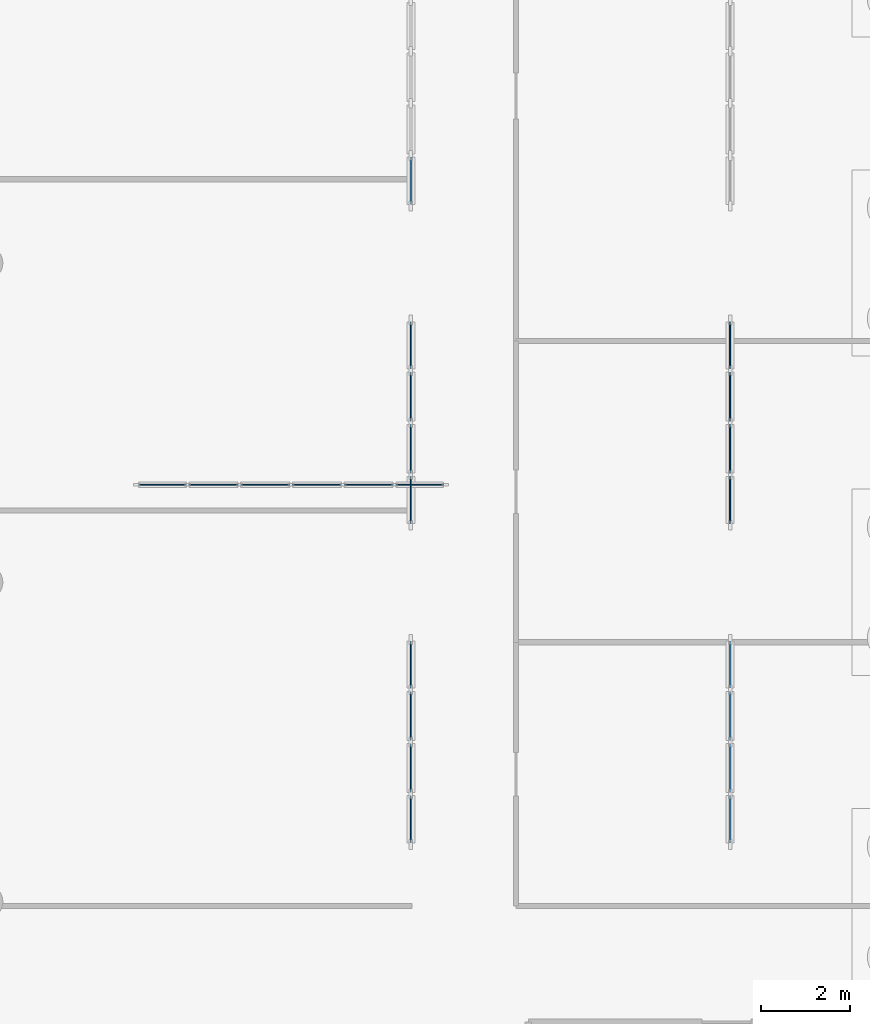
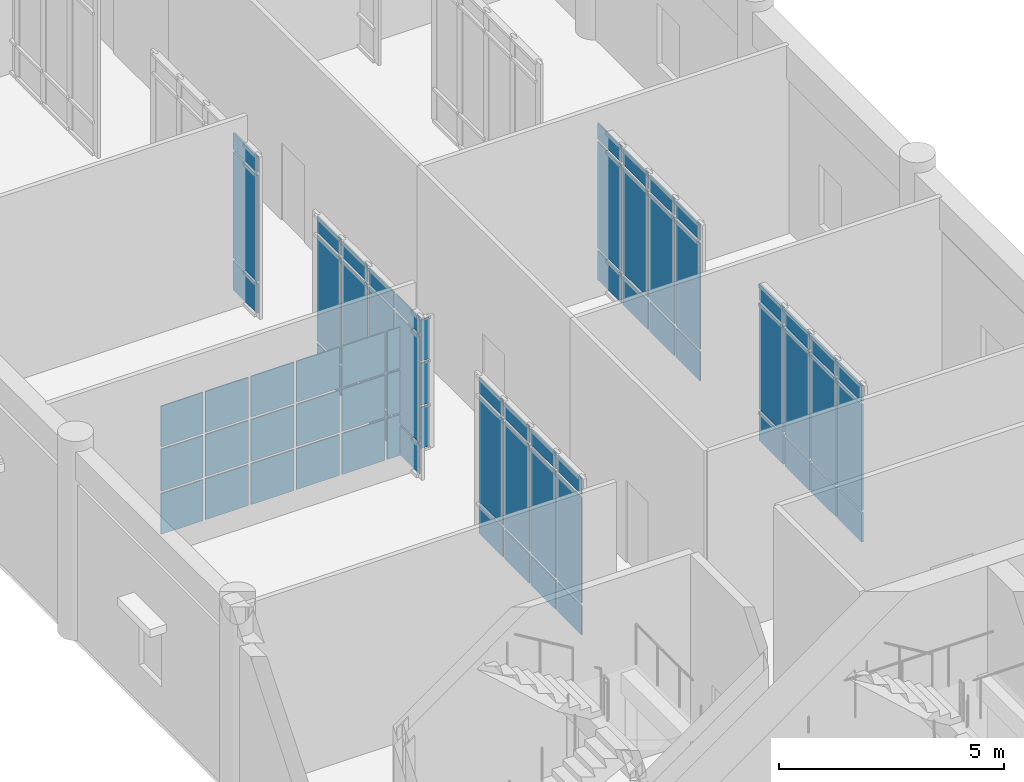
# One storey, part 54 of 100: 69 plates, 6 elements without a shape of their own.
"""IFC4 building model written with IfcOpenShell, lengths in metres."""

from ifc_helpers import new_model, si_unit, direction, frame, origin, origin_2d, place, context, subcontext, project, spatial, rectangle, extrude, material, layer, layer_set, type_object, element, aggregate, save


model = new_model("IFC4")

# Units and contexts
model_context = context("Model", 3, precision=1e-05, world=origin(), true_north=direction((0.0, 1.0)))
body_context = subcontext(model_context, "Body", "Model", "MODEL_VIEW")
ifc_project = project(units=[si_unit("LENGTHUNIT", "METRE"), si_unit("AREAUNIT", "SQUARE_METRE"), si_unit("VOLUMEUNIT", "CUBIC_METRE"), si_unit("PLANEANGLEUNIT", "RADIAN"), si_unit("MASSUNIT", "GRAM", prefix="KILO")], contexts=[model_context])

# Site, building, storey
site_placement = place(None, origin())
site = spatial("IfcSite", under=ifc_project, at=site_placement, CompositionType="ELEMENT")
building_placement = place(site_placement, origin())
building = spatial("IfcBuilding", under=site, at=building_placement, Name="Mithqara Police Headquarters", CompositionType="ELEMENT")
storey_placement = place(building_placement, origin())
storey = spatial("IfcBuildingStorey", under=building, at=storey_placement, Name="L00", CompositionType="ELEMENT", Elevation=0.0)

# Curtain wall, plates
ifc_material_1 = material(Name="Bronze anodised aluminium 6063-T6", Category="aluminium")
curtain_wall_type_1 = type_object("IfcCurtainWallType", Name="CURTAIN WALL 4700X4400", PredefinedType="USERDEFINED", material=ifc_material_1)
curtain_wall_1_placement = place(storey_placement, origin())
curtain_wall_1 = element("IfcCurtainWall", 1, at=curtain_wall_1_placement, inside=storey, type_object=curtain_wall_type_1, Name="L00 Unitised Glazing CW-14 (CW-INT-L00-X11-Y06-0)", ObjectType="UNITISED GLAZING", PredefinedType="USERDEFINED")
ifc_material_2 = material(Name="Spectrally selective double low-e glass", Category="glass")
ifc_layer_1 = layer(ifc_material_2, 0.028076171875, Name="Spectrally selective double low-e glass")
ifc_layer_set_1 = layer_set([ifc_layer_1], Name="Spectrally selective double low-e glass")
plate_type_1 = type_object("IfcPlateType", Name="CWPANEL GLASS28", PredefinedType="CURTAIN_PANEL", material=ifc_layer_set_1)
plate_1_placement = place(storey_placement, frame((82.199951171875, 44.456298828125, 0.074951171875), z_axis=(0.0, 0.0, 1.0), x_axis=(0.0, 1.0, 0.0)))
plate_1 = element("IfcPlate", 2, at=plate_1_placement, type_object=plate_type_1, Name="CW-14 panel 1.1", PredefinedType="CURTAIN_PANEL", context=body_context, shape_type="SweptSolid", body=[
    extrude(rectangle(XDim=1.0625, YDim=0.028076171875, at=origin_2d()), origin(), (0.0, 0.0, 1.0), 0.78759765625),
])
plate_2_placement = place(storey_placement, frame((82.199951171875, 44.456298828125, 0.9375), z_axis=(0.0, 0.0, 1.0), x_axis=(0.0, 1.0, 0.0)))
plate_2 = element("IfcPlate", 3, at=plate_2_placement, type_object=plate_type_1, Name="CW-14 panel 1.2", PredefinedType="CURTAIN_PANEL", context=body_context, shape_type="SweptSolid", body=[
    extrude(rectangle(XDim=1.0625, YDim=0.028076171875, at=origin_2d()), origin(), (0.0, 0.0, 1.0), 2.875),
])
plate_3_placement = place(storey_placement, frame((82.199951171875, 44.456298828125, 3.887451171875), z_axis=(0.0, 0.0, 1.0), x_axis=(0.0, 1.0, 0.0)))
plate_3 = element("IfcPlate", 4, at=plate_3_placement, type_object=plate_type_1, Name="CW-14 panel 1.3", PredefinedType="CURTAIN_PANEL", context=body_context, shape_type="SweptSolid", body=[
    extrude(rectangle(XDim=1.0625, YDim=0.028076171875, at=origin_2d()), origin(), (0.0, 0.0, 1.0), 0.4375),
])
plate_4_placement = place(storey_placement, frame((82.199951171875, 45.612548828125, 0.074951171875), z_axis=(0.0, 0.0, 1.0), x_axis=(0.0, 1.0, 0.0)))
plate_4 = element("IfcPlate", 5, at=plate_4_placement, type_object=plate_type_1, Name="CW-14 panel 2.1", PredefinedType="CURTAIN_PANEL", context=body_context, shape_type="SweptSolid", body=[
    extrude(rectangle(XDim=1.10009765625, YDim=0.028076171875, at=origin_2d()), origin(), (0.0, 0.0, 1.0), 0.78759765625),
])
plate_5_placement = place(storey_placement, frame((82.199951171875, 45.612548828125, 0.9375), z_axis=(0.0, 0.0, 1.0), x_axis=(0.0, 1.0, 0.0)))
plate_5 = element("IfcPlate", 6, at=plate_5_placement, type_object=plate_type_1, Name="CW-14 panel 2.2", PredefinedType="CURTAIN_PANEL", context=body_context, shape_type="SweptSolid", body=[
    extrude(rectangle(XDim=1.10009765625, YDim=0.028076171875, at=origin_2d()), origin(), (0.0, 0.0, 1.0), 2.875),
])
plate_6_placement = place(storey_placement, frame((82.199951171875, 45.612548828125, 3.887451171875), z_axis=(0.0, 0.0, 1.0), x_axis=(0.0, 1.0, 0.0)))
plate_6 = element("IfcPlate", 7, at=plate_6_placement, type_object=plate_type_1, Name="CW-14 panel 2.3", PredefinedType="CURTAIN_PANEL", context=body_context, shape_type="SweptSolid", body=[
    extrude(rectangle(XDim=1.10009765625, YDim=0.028076171875, at=origin_2d()), origin(), (0.0, 0.0, 1.0), 0.4375),
])
plate_7_placement = place(storey_placement, frame((82.199951171875, 46.78759765625, 0.074951171875), z_axis=(0.0, 0.0, 1.0), x_axis=(0.0, 1.0, 0.0)))
plate_7 = element("IfcPlate", 8, at=plate_7_placement, type_object=plate_type_1, Name="CW-14 panel 3.1", PredefinedType="CURTAIN_PANEL", context=body_context, shape_type="SweptSolid", body=[
    extrude(rectangle(XDim=1.10009765625, YDim=0.028076171875, at=origin_2d()), origin(), (0.0, 0.0, 1.0), 0.78759765625),
])
plate_8_placement = place(storey_placement, frame((82.199951171875, 46.78759765625, 0.9375), z_axis=(0.0, 0.0, 1.0), x_axis=(0.0, 1.0, 0.0)))
plate_8 = element("IfcPlate", 9, at=plate_8_placement, type_object=plate_type_1, Name="CW-14 panel 3.2", PredefinedType="CURTAIN_PANEL", context=body_context, shape_type="SweptSolid", body=[
    extrude(rectangle(XDim=1.10009765625, YDim=0.028076171875, at=origin_2d()), origin(), (0.0, 0.0, 1.0), 2.875),
])
plate_9_placement = place(storey_placement, frame((82.199951171875, 46.78759765625, 3.887451171875), z_axis=(0.0, 0.0, 1.0), x_axis=(0.0, 1.0, 0.0)))
plate_9 = element("IfcPlate", 10, at=plate_9_placement, type_object=plate_type_1, Name="CW-14 panel 3.3", PredefinedType="CURTAIN_PANEL", context=body_context, shape_type="SweptSolid", body=[
    extrude(rectangle(XDim=1.10009765625, YDim=0.028076171875, at=origin_2d()), origin(), (0.0, 0.0, 1.0), 0.4375),
])
plate_10_placement = place(storey_placement, frame((82.199951171875, 47.94384765625, 0.074951171875), z_axis=(0.0, 0.0, 1.0), x_axis=(0.0, 1.0, 0.0)))
plate_10 = element("IfcPlate", 11, at=plate_10_placement, type_object=plate_type_1, Name="CW-14 panel 4.1", PredefinedType="CURTAIN_PANEL", context=body_context, shape_type="SweptSolid", body=[
    extrude(rectangle(XDim=1.0625, YDim=0.028076171875, at=origin_2d()), origin(), (0.0, 0.0, 1.0), 0.78759765625),
])
plate_11_placement = place(storey_placement, frame((82.199951171875, 47.94384765625, 0.9375), z_axis=(0.0, 0.0, 1.0), x_axis=(0.0, 1.0, 0.0)))
plate_11 = element("IfcPlate", 12, at=plate_11_placement, type_object=plate_type_1, Name="CW-14 panel 4.2", PredefinedType="CURTAIN_PANEL", context=body_context, shape_type="SweptSolid", body=[
    extrude(rectangle(XDim=1.0625, YDim=0.028076171875, at=origin_2d()), origin(), (0.0, 0.0, 1.0), 2.875),
])
plate_12_placement = place(storey_placement, frame((82.199951171875, 47.94384765625, 3.887451171875), z_axis=(0.0, 0.0, 1.0), x_axis=(0.0, 1.0, 0.0)))
plate_12 = element("IfcPlate", 13, at=plate_12_placement, type_object=plate_type_1, Name="CW-14 panel 4.3", PredefinedType="CURTAIN_PANEL", context=body_context, shape_type="SweptSolid", body=[
    extrude(rectangle(XDim=1.0625, YDim=0.028076171875, at=origin_2d()), origin(), (0.0, 0.0, 1.0), 0.4375),
])
aggregate(curtain_wall_1, [plate_1, plate_2, plate_3, plate_4, plate_5, plate_6, plate_7, plate_8, plate_9, plate_10, plate_11, plate_12])

curtain_wall_2_placement = place(storey_placement, origin())
curtain_wall_2 = element("IfcCurtainWall", 14, at=curtain_wall_2_placement, inside=storey, type_object=curtain_wall_type_1, Name="L00 Unitised Glazing CW-14 (CW-INT-L00-X11-Y07-0)", ObjectType="UNITISED GLAZING", PredefinedType="USERDEFINED")
plate_13_placement = place(storey_placement, frame((82.199951171875, 51.65625, 0.074951171875), z_axis=(0.0, 0.0, 1.0), x_axis=(0.0, 1.0, 0.0)))
plate_13 = element("IfcPlate", 15, at=plate_13_placement, type_object=plate_type_1, Name="CW-14 panel 1.1", PredefinedType="CURTAIN_PANEL", context=body_context, shape_type="SweptSolid", body=[
    extrude(rectangle(XDim=1.0625, YDim=0.028076171875, at=origin_2d()), origin(), (0.0, 0.0, 1.0), 0.78759765625),
])
plate_14_placement = place(storey_placement, frame((82.199951171875, 51.65625, 0.9375), z_axis=(0.0, 0.0, 1.0), x_axis=(0.0, 1.0, 0.0)))
plate_14 = element("IfcPlate", 16, at=plate_14_placement, type_object=plate_type_1, Name="CW-14 panel 1.2", PredefinedType="CURTAIN_PANEL", context=body_context, shape_type="SweptSolid", body=[
    extrude(rectangle(XDim=1.0625, YDim=0.028076171875, at=origin_2d()), origin(), (0.0, 0.0, 1.0), 2.875),
])
plate_15_placement = place(storey_placement, frame((82.199951171875, 51.65625, 3.887451171875), z_axis=(0.0, 0.0, 1.0), x_axis=(0.0, 1.0, 0.0)))
plate_15 = element("IfcPlate", 17, at=plate_15_placement, type_object=plate_type_1, Name="CW-14 panel 1.3", PredefinedType="CURTAIN_PANEL", context=body_context, shape_type="SweptSolid", body=[
    extrude(rectangle(XDim=1.0625, YDim=0.028076171875, at=origin_2d()), origin(), (0.0, 0.0, 1.0), 0.4375),
])
plate_16_placement = place(storey_placement, frame((82.199951171875, 52.8125, 0.074951171875), z_axis=(0.0, 0.0, 1.0), x_axis=(0.0, 1.0, 0.0)))
plate_16 = element("IfcPlate", 18, at=plate_16_placement, type_object=plate_type_1, Name="CW-14 panel 2.1", PredefinedType="CURTAIN_PANEL", context=body_context, shape_type="SweptSolid", body=[
    extrude(rectangle(XDim=1.10009765625, YDim=0.028076171875, at=origin_2d()), origin(), (0.0, 0.0, 1.0), 0.78759765625),
])
plate_17_placement = place(storey_placement, frame((82.199951171875, 52.8125, 0.9375), z_axis=(0.0, 0.0, 1.0), x_axis=(0.0, 1.0, 0.0)))
plate_17 = element("IfcPlate", 19, at=plate_17_placement, type_object=plate_type_1, Name="CW-14 panel 2.2", PredefinedType="CURTAIN_PANEL", context=body_context, shape_type="SweptSolid", body=[
    extrude(rectangle(XDim=1.10009765625, YDim=0.028076171875, at=origin_2d()), origin(), (0.0, 0.0, 1.0), 2.875),
])
plate_18_placement = place(storey_placement, frame((82.199951171875, 52.8125, 3.887451171875), z_axis=(0.0, 0.0, 1.0), x_axis=(0.0, 1.0, 0.0)))
plate_18 = element("IfcPlate", 20, at=plate_18_placement, type_object=plate_type_1, Name="CW-14 panel 2.3", PredefinedType="CURTAIN_PANEL", context=body_context, shape_type="SweptSolid", body=[
    extrude(rectangle(XDim=1.10009765625, YDim=0.028076171875, at=origin_2d()), origin(), (0.0, 0.0, 1.0), 0.4375),
])
plate_19_placement = place(storey_placement, frame((82.199951171875, 53.987548828125, 0.074951171875), z_axis=(0.0, 0.0, 1.0), x_axis=(0.0, 1.0, 0.0)))
plate_19 = element("IfcPlate", 21, at=plate_19_placement, type_object=plate_type_1, Name="CW-14 panel 3.1", PredefinedType="CURTAIN_PANEL", context=body_context, shape_type="SweptSolid", body=[
    extrude(rectangle(XDim=1.10009765625, YDim=0.028076171875, at=origin_2d()), origin(), (0.0, 0.0, 1.0), 0.78759765625),
])
plate_20_placement = place(storey_placement, frame((82.199951171875, 53.987548828125, 0.9375), z_axis=(0.0, 0.0, 1.0), x_axis=(0.0, 1.0, 0.0)))
plate_20 = element("IfcPlate", 22, at=plate_20_placement, type_object=plate_type_1, Name="CW-14 panel 3.2", PredefinedType="CURTAIN_PANEL", context=body_context, shape_type="SweptSolid", body=[
    extrude(rectangle(XDim=1.10009765625, YDim=0.028076171875, at=origin_2d()), origin(), (0.0, 0.0, 1.0), 2.875),
])
plate_21_placement = place(storey_placement, frame((82.199951171875, 53.987548828125, 3.887451171875), z_axis=(0.0, 0.0, 1.0), x_axis=(0.0, 1.0, 0.0)))
plate_21 = element("IfcPlate", 23, at=plate_21_placement, type_object=plate_type_1, Name="CW-14 panel 3.3", PredefinedType="CURTAIN_PANEL", context=body_context, shape_type="SweptSolid", body=[
    extrude(rectangle(XDim=1.10009765625, YDim=0.028076171875, at=origin_2d()), origin(), (0.0, 0.0, 1.0), 0.4375),
])
plate_22_placement = place(storey_placement, frame((82.199951171875, 55.143798828125, 0.074951171875), z_axis=(0.0, 0.0, 1.0), x_axis=(0.0, 1.0, 0.0)))
plate_22 = element("IfcPlate", 24, at=plate_22_placement, type_object=plate_type_1, Name="CW-14 panel 4.1", PredefinedType="CURTAIN_PANEL", context=body_context, shape_type="SweptSolid", body=[
    extrude(rectangle(XDim=1.0625, YDim=0.028076171875, at=origin_2d()), origin(), (0.0, 0.0, 1.0), 0.78759765625),
])
plate_23_placement = place(storey_placement, frame((82.199951171875, 55.143798828125, 0.9375), z_axis=(0.0, 0.0, 1.0), x_axis=(0.0, 1.0, 0.0)))
plate_23 = element("IfcPlate", 25, at=plate_23_placement, type_object=plate_type_1, Name="CW-14 panel 4.2", PredefinedType="CURTAIN_PANEL", context=body_context, shape_type="SweptSolid", body=[
    extrude(rectangle(XDim=1.0625, YDim=0.028076171875, at=origin_2d()), origin(), (0.0, 0.0, 1.0), 2.875),
])
plate_24_placement = place(storey_placement, frame((82.199951171875, 55.143798828125, 3.887451171875), z_axis=(0.0, 0.0, 1.0), x_axis=(0.0, 1.0, 0.0)))
plate_24 = element("IfcPlate", 26, at=plate_24_placement, type_object=plate_type_1, Name="CW-14 panel 4.3", PredefinedType="CURTAIN_PANEL", context=body_context, shape_type="SweptSolid", body=[
    extrude(rectangle(XDim=1.0625, YDim=0.028076171875, at=origin_2d()), origin(), (0.0, 0.0, 1.0), 0.4375),
])
aggregate(curtain_wall_2, [plate_13, plate_14, plate_15, plate_16, plate_17, plate_18, plate_19, plate_20, plate_21, plate_22, plate_23, plate_24])

curtain_wall_3_placement = place(storey_placement, origin())
curtain_wall_3 = element("IfcCurtainWall", 27, at=curtain_wall_3_placement, inside=storey, type_object=curtain_wall_type_1, Name="L00 Unitised Glazing CW-14 (CW-INT-L00-X12-Y07-0)", ObjectType="UNITISED GLAZING", PredefinedType="USERDEFINED")
plate_25_placement = place(storey_placement, frame((89.39990234375, 51.65625, 0.074951171875), z_axis=(0.0, 0.0, 1.0), x_axis=(0.0, 1.0, 0.0)))
plate_25 = element("IfcPlate", 28, at=plate_25_placement, type_object=plate_type_1, Name="CW-14 panel 1.1", PredefinedType="CURTAIN_PANEL", context=body_context, shape_type="SweptSolid", body=[
    extrude(rectangle(XDim=1.0625, YDim=0.028076171875, at=origin_2d()), origin(), (0.0, 0.0, 1.0), 0.78759765625),
])
plate_26_placement = place(storey_placement, frame((89.39990234375, 51.65625, 0.9375), z_axis=(0.0, 0.0, 1.0), x_axis=(0.0, 1.0, 0.0)))
plate_26 = element("IfcPlate", 29, at=plate_26_placement, type_object=plate_type_1, Name="CW-14 panel 1.2", PredefinedType="CURTAIN_PANEL", context=body_context, shape_type="SweptSolid", body=[
    extrude(rectangle(XDim=1.0625, YDim=0.028076171875, at=origin_2d()), origin(), (0.0, 0.0, 1.0), 2.875),
])
plate_27_placement = place(storey_placement, frame((89.39990234375, 51.65625, 3.887451171875), z_axis=(0.0, 0.0, 1.0), x_axis=(0.0, 1.0, 0.0)))
plate_27 = element("IfcPlate", 30, at=plate_27_placement, type_object=plate_type_1, Name="CW-14 panel 1.3", PredefinedType="CURTAIN_PANEL", context=body_context, shape_type="SweptSolid", body=[
    extrude(rectangle(XDim=1.0625, YDim=0.028076171875, at=origin_2d()), origin(), (0.0, 0.0, 1.0), 0.4375),
])
plate_28_placement = place(storey_placement, frame((89.39990234375, 52.8125, 0.074951171875), z_axis=(0.0, 0.0, 1.0), x_axis=(0.0, 1.0, 0.0)))
plate_28 = element("IfcPlate", 31, at=plate_28_placement, type_object=plate_type_1, Name="CW-14 panel 2.1", PredefinedType="CURTAIN_PANEL", context=body_context, shape_type="SweptSolid", body=[
    extrude(rectangle(XDim=1.10009765625, YDim=0.028076171875, at=origin_2d()), origin(), (0.0, 0.0, 1.0), 0.78759765625),
])
plate_29_placement = place(storey_placement, frame((89.39990234375, 52.8125, 0.9375), z_axis=(0.0, 0.0, 1.0), x_axis=(0.0, 1.0, 0.0)))
plate_29 = element("IfcPlate", 32, at=plate_29_placement, type_object=plate_type_1, Name="CW-14 panel 2.2", PredefinedType="CURTAIN_PANEL", context=body_context, shape_type="SweptSolid", body=[
    extrude(rectangle(XDim=1.10009765625, YDim=0.028076171875, at=origin_2d()), origin(), (0.0, 0.0, 1.0), 2.875),
])
plate_30_placement = place(storey_placement, frame((89.39990234375, 52.8125, 3.887451171875), z_axis=(0.0, 0.0, 1.0), x_axis=(0.0, 1.0, 0.0)))
plate_30 = element("IfcPlate", 33, at=plate_30_placement, type_object=plate_type_1, Name="CW-14 panel 2.3", PredefinedType="CURTAIN_PANEL", context=body_context, shape_type="SweptSolid", body=[
    extrude(rectangle(XDim=1.10009765625, YDim=0.028076171875, at=origin_2d()), origin(), (0.0, 0.0, 1.0), 0.4375),
])
plate_31_placement = place(storey_placement, frame((89.39990234375, 53.987548828125, 0.074951171875), z_axis=(0.0, 0.0, 1.0), x_axis=(0.0, 1.0, 0.0)))
plate_31 = element("IfcPlate", 34, at=plate_31_placement, type_object=plate_type_1, Name="CW-14 panel 3.1", PredefinedType="CURTAIN_PANEL", context=body_context, shape_type="SweptSolid", body=[
    extrude(rectangle(XDim=1.10009765625, YDim=0.028076171875, at=origin_2d()), origin(), (0.0, 0.0, 1.0), 0.78759765625),
])
plate_32_placement = place(storey_placement, frame((89.39990234375, 53.987548828125, 0.9375), z_axis=(0.0, 0.0, 1.0), x_axis=(0.0, 1.0, 0.0)))
plate_32 = element("IfcPlate", 35, at=plate_32_placement, type_object=plate_type_1, Name="CW-14 panel 3.2", PredefinedType="CURTAIN_PANEL", context=body_context, shape_type="SweptSolid", body=[
    extrude(rectangle(XDim=1.10009765625, YDim=0.028076171875, at=origin_2d()), origin(), (0.0, 0.0, 1.0), 2.875),
])
plate_33_placement = place(storey_placement, frame((89.39990234375, 53.987548828125, 3.887451171875), z_axis=(0.0, 0.0, 1.0), x_axis=(0.0, 1.0, 0.0)))
plate_33 = element("IfcPlate", 36, at=plate_33_placement, type_object=plate_type_1, Name="CW-14 panel 3.3", PredefinedType="CURTAIN_PANEL", context=body_context, shape_type="SweptSolid", body=[
    extrude(rectangle(XDim=1.10009765625, YDim=0.028076171875, at=origin_2d()), origin(), (0.0, 0.0, 1.0), 0.4375),
])
plate_34_placement = place(storey_placement, frame((89.39990234375, 55.143798828125, 0.074951171875), z_axis=(0.0, 0.0, 1.0), x_axis=(0.0, 1.0, 0.0)))
plate_34 = element("IfcPlate", 37, at=plate_34_placement, type_object=plate_type_1, Name="CW-14 panel 4.1", PredefinedType="CURTAIN_PANEL", context=body_context, shape_type="SweptSolid", body=[
    extrude(rectangle(XDim=1.0625, YDim=0.028076171875, at=origin_2d()), origin(), (0.0, 0.0, 1.0), 0.78759765625),
])
plate_35_placement = place(storey_placement, frame((89.39990234375, 55.143798828125, 0.9375), z_axis=(0.0, 0.0, 1.0), x_axis=(0.0, 1.0, 0.0)))
plate_35 = element("IfcPlate", 38, at=plate_35_placement, type_object=plate_type_1, Name="CW-14 panel 4.2", PredefinedType="CURTAIN_PANEL", context=body_context, shape_type="SweptSolid", body=[
    extrude(rectangle(XDim=1.0625, YDim=0.028076171875, at=origin_2d()), origin(), (0.0, 0.0, 1.0), 2.875),
])
plate_36_placement = place(storey_placement, frame((89.39990234375, 55.143798828125, 3.887451171875), z_axis=(0.0, 0.0, 1.0), x_axis=(0.0, 1.0, 0.0)))
plate_36 = element("IfcPlate", 39, at=plate_36_placement, type_object=plate_type_1, Name="CW-14 panel 4.3", PredefinedType="CURTAIN_PANEL", context=body_context, shape_type="SweptSolid", body=[
    extrude(rectangle(XDim=1.0625, YDim=0.028076171875, at=origin_2d()), origin(), (0.0, 0.0, 1.0), 0.4375),
])
aggregate(curtain_wall_3, [plate_25, plate_26, plate_27, plate_28, plate_29, plate_30, plate_31, plate_32, plate_33, plate_34, plate_35, plate_36])

curtain_wall_type_2 = type_object("IfcCurtainWallType", Name="CURTAIN WALL 7000X3600", PredefinedType="USERDEFINED", material=ifc_material_1)
curtain_wall_4_placement = place(storey_placement, origin())
curtain_wall_4 = element("IfcCurtainWall", 40, at=curtain_wall_4_placement, inside=storey, type_object=curtain_wall_type_2, Name="L00 Unitised Glazing CW-17 (CW-INT-L00-HALL-SCR-01)", ObjectType="UNITISED GLAZING", PredefinedType="USERDEFINED")
plate_37_placement = place(storey_placement, frame((76.598388671875, 52.0, 0.06005859375), z_axis=(0.0, 0.0, 1.0), x_axis=(1.0, 0.0, 0.0)))
plate_37 = element("IfcPlate", 41, at=plate_37_placement, type_object=plate_type_1, Name="CW-17 panel 1.1", PredefinedType="CURTAIN_PANEL", context=body_context, shape_type="SweptSolid", body=[
    extrude(rectangle(XDim=1.07666015625, YDim=0.028076171875, at=origin_2d()), origin(), (0.0, 0.0, 1.0), 1.110107421875),
])
plate_38_placement = place(storey_placement, frame((76.598388671875, 52.0, 1.22998046875), z_axis=(0.0, 0.0, 1.0), x_axis=(1.0, 0.0, 0.0)))
plate_38 = element("IfcPlate", 42, at=plate_38_placement, type_object=plate_type_1, Name="CW-17 panel 1.2", PredefinedType="CURTAIN_PANEL", context=body_context, shape_type="SweptSolid", body=[
    extrude(rectangle(XDim=1.07666015625, YDim=0.028076171875, at=origin_2d()), origin(), (0.0, 0.0, 1.0), 1.139892578125),
])
plate_39_placement = place(storey_placement, frame((76.598388671875, 52.0, 2.43017578125), z_axis=(0.0, 0.0, 1.0), x_axis=(1.0, 0.0, 0.0)))
plate_39 = element("IfcPlate", 43, at=plate_39_placement, type_object=plate_type_1, Name="CW-17 panel 1.3", PredefinedType="CURTAIN_PANEL", context=body_context, shape_type="SweptSolid", body=[
    extrude(rectangle(XDim=1.07666015625, YDim=0.028076171875, at=origin_2d()), origin(), (0.0, 0.0, 1.0), 1.110107421875),
])
plate_40_placement = place(storey_placement, frame((77.75, 52.0, 0.06005859375), z_axis=(0.0, 0.0, 1.0), x_axis=(1.0, 0.0, 0.0)))
plate_40 = element("IfcPlate", 44, at=plate_40_placement, type_object=plate_type_1, Name="CW-17 panel 2.1", PredefinedType="CURTAIN_PANEL", context=body_context, shape_type="SweptSolid", body=[
    extrude(rectangle(XDim=1.106689453125, YDim=0.028076171875, at=origin_2d()), origin(), (0.0, 0.0, 1.0), 1.110107421875),
])
plate_41_placement = place(storey_placement, frame((77.75, 52.0, 1.22998046875), z_axis=(0.0, 0.0, 1.0), x_axis=(1.0, 0.0, 0.0)))
plate_41 = element("IfcPlate", 45, at=plate_41_placement, type_object=plate_type_1, Name="CW-17 panel 2.2", PredefinedType="CURTAIN_PANEL", context=body_context, shape_type="SweptSolid", body=[
    extrude(rectangle(XDim=1.106689453125, YDim=0.028076171875, at=origin_2d()), origin(), (0.0, 0.0, 1.0), 1.139892578125),
])
plate_42_placement = place(storey_placement, frame((77.75, 52.0, 2.43017578125), z_axis=(0.0, 0.0, 1.0), x_axis=(1.0, 0.0, 0.0)))
plate_42 = element("IfcPlate", 46, at=plate_42_placement, type_object=plate_type_1, Name="CW-17 panel 2.3", PredefinedType="CURTAIN_PANEL", context=body_context, shape_type="SweptSolid", body=[
    extrude(rectangle(XDim=1.106689453125, YDim=0.028076171875, at=origin_2d()), origin(), (0.0, 0.0, 1.0), 1.110107421875),
])
plate_43_placement = place(storey_placement, frame((78.916748046875, 52.0, 0.06005859375), z_axis=(0.0, 0.0, 1.0), x_axis=(1.0, 0.0, 0.0)))
plate_43 = element("IfcPlate", 47, at=plate_43_placement, type_object=plate_type_1, Name="CW-17 panel 3.1", PredefinedType="CURTAIN_PANEL", context=body_context, shape_type="SweptSolid", body=[
    extrude(rectangle(XDim=1.106689453125, YDim=0.028076171875, at=origin_2d()), origin(), (0.0, 0.0, 1.0), 1.110107421875),
])
plate_44_placement = place(storey_placement, frame((78.916748046875, 52.0, 1.22998046875), z_axis=(0.0, 0.0, 1.0), x_axis=(1.0, 0.0, 0.0)))
plate_44 = element("IfcPlate", 48, at=plate_44_placement, type_object=plate_type_1, Name="CW-17 panel 3.2", PredefinedType="CURTAIN_PANEL", context=body_context, shape_type="SweptSolid", body=[
    extrude(rectangle(XDim=1.106689453125, YDim=0.028076171875, at=origin_2d()), origin(), (0.0, 0.0, 1.0), 1.139892578125),
])
plate_45_placement = place(storey_placement, frame((78.916748046875, 52.0, 2.43017578125), z_axis=(0.0, 0.0, 1.0), x_axis=(1.0, 0.0, 0.0)))
plate_45 = element("IfcPlate", 49, at=plate_45_placement, type_object=plate_type_1, Name="CW-17 panel 3.3", PredefinedType="CURTAIN_PANEL", context=body_context, shape_type="SweptSolid", body=[
    extrude(rectangle(XDim=1.106689453125, YDim=0.028076171875, at=origin_2d()), origin(), (0.0, 0.0, 1.0), 1.110107421875),
])
plate_46_placement = place(storey_placement, frame((80.083251953125, 52.0, 0.06005859375), z_axis=(0.0, 0.0, 1.0), x_axis=(1.0, 0.0, 0.0)))
plate_46 = element("IfcPlate", 50, at=plate_46_placement, type_object=plate_type_1, Name="CW-17 panel 4.1", PredefinedType="CURTAIN_PANEL", context=body_context, shape_type="SweptSolid", body=[
    extrude(rectangle(XDim=1.106689453125, YDim=0.028076171875, at=origin_2d()), origin(), (0.0, 0.0, 1.0), 1.110107421875),
])
plate_47_placement = place(storey_placement, frame((80.083251953125, 52.0, 1.22998046875), z_axis=(0.0, 0.0, 1.0), x_axis=(1.0, 0.0, 0.0)))
plate_47 = element("IfcPlate", 51, at=plate_47_placement, type_object=plate_type_1, Name="CW-17 panel 4.2", PredefinedType="CURTAIN_PANEL", context=body_context, shape_type="SweptSolid", body=[
    extrude(rectangle(XDim=1.106689453125, YDim=0.028076171875, at=origin_2d()), origin(), (0.0, 0.0, 1.0), 1.139892578125),
])
plate_48_placement = place(storey_placement, frame((80.083251953125, 52.0, 2.43017578125), z_axis=(0.0, 0.0, 1.0), x_axis=(1.0, 0.0, 0.0)))
plate_48 = element("IfcPlate", 52, at=plate_48_placement, type_object=plate_type_1, Name="CW-17 panel 4.3", PredefinedType="CURTAIN_PANEL", context=body_context, shape_type="SweptSolid", body=[
    extrude(rectangle(XDim=1.106689453125, YDim=0.028076171875, at=origin_2d()), origin(), (0.0, 0.0, 1.0), 1.110107421875),
])
plate_49_placement = place(storey_placement, frame((81.25, 52.0, 0.06005859375), z_axis=(0.0, 0.0, 1.0), x_axis=(1.0, 0.0, 0.0)))
plate_49 = element("IfcPlate", 53, at=plate_49_placement, type_object=plate_type_1, Name="CW-17 panel 5.1", PredefinedType="CURTAIN_PANEL", context=body_context, shape_type="SweptSolid", body=[
    extrude(rectangle(XDim=1.106689453125, YDim=0.028076171875, at=origin_2d()), origin(), (0.0, 0.0, 1.0), 1.110107421875),
])
plate_50_placement = place(storey_placement, frame((81.25, 52.0, 1.22998046875), z_axis=(0.0, 0.0, 1.0), x_axis=(1.0, 0.0, 0.0)))
plate_50 = element("IfcPlate", 54, at=plate_50_placement, type_object=plate_type_1, Name="CW-17 panel 5.2", PredefinedType="CURTAIN_PANEL", context=body_context, shape_type="SweptSolid", body=[
    extrude(rectangle(XDim=1.106689453125, YDim=0.028076171875, at=origin_2d()), origin(), (0.0, 0.0, 1.0), 1.139892578125),
])
plate_51_placement = place(storey_placement, frame((81.25, 52.0, 2.43017578125), z_axis=(0.0, 0.0, 1.0), x_axis=(1.0, 0.0, 0.0)))
plate_51 = element("IfcPlate", 55, at=plate_51_placement, type_object=plate_type_1, Name="CW-17 panel 5.3", PredefinedType="CURTAIN_PANEL", context=body_context, shape_type="SweptSolid", body=[
    extrude(rectangle(XDim=1.106689453125, YDim=0.028076171875, at=origin_2d()), origin(), (0.0, 0.0, 1.0), 1.110107421875),
])
plate_52_placement = place(storey_placement, frame((82.401611328125, 52.0, 0.06005859375), z_axis=(0.0, 0.0, 1.0), x_axis=(1.0, 0.0, 0.0)))
plate_52 = element("IfcPlate", 56, at=plate_52_placement, type_object=plate_type_1, Name="CW-17 panel 6.1", PredefinedType="CURTAIN_PANEL", context=body_context, shape_type="SweptSolid", body=[
    extrude(rectangle(XDim=1.07666015625, YDim=0.028076171875, at=origin_2d()), origin(), (0.0, 0.0, 1.0), 1.110107421875),
])
plate_53_placement = place(storey_placement, frame((82.401611328125, 52.0, 1.22998046875), z_axis=(0.0, 0.0, 1.0), x_axis=(1.0, 0.0, 0.0)))
plate_53 = element("IfcPlate", 57, at=plate_53_placement, type_object=plate_type_1, Name="CW-17 panel 6.2", PredefinedType="CURTAIN_PANEL", context=body_context, shape_type="SweptSolid", body=[
    extrude(rectangle(XDim=1.07666015625, YDim=0.028076171875, at=origin_2d()), origin(), (0.0, 0.0, 1.0), 1.139892578125),
])
plate_54_placement = place(storey_placement, frame((82.401611328125, 52.0, 2.43017578125), z_axis=(0.0, 0.0, 1.0), x_axis=(1.0, 0.0, 0.0)))
plate_54 = element("IfcPlate", 58, at=plate_54_placement, type_object=plate_type_1, Name="CW-17 panel 6.3", PredefinedType="CURTAIN_PANEL", context=body_context, shape_type="SweptSolid", body=[
    extrude(rectangle(XDim=1.07666015625, YDim=0.028076171875, at=origin_2d()), origin(), (0.0, 0.0, 1.0), 1.110107421875),
])
aggregate(curtain_wall_4, [plate_37, plate_38, plate_39, plate_40, plate_41, plate_42, plate_43, plate_44, plate_45, plate_46, plate_47, plate_48, plate_49, plate_50, plate_51, plate_52, plate_53, plate_54])

curtain_wall_5_placement = place(storey_placement, origin())
curtain_wall_5 = element("IfcCurtainWall", 59, at=curtain_wall_5_placement, inside=storey, type_object=curtain_wall_type_1, Name="L00 Unitised Glazing CW-14 (CW-INT-L00-X11-Y08-0)", ObjectType="UNITISED GLAZING", PredefinedType="USERDEFINED")
ifc_material_3 = material(Name="Insulated bronze aluminium spandrel panel", Category="aluminium")
ifc_layer_2 = layer(ifc_material_3, 0.048095703125, Name="Insulated bronze aluminium spandrel panel")
ifc_layer_set_2 = layer_set([ifc_layer_2], Name="Insulated bronze aluminium spandrel panel")
plate_type_2 = type_object("IfcPlateType", Name="CWPANEL SPANDREL48", PredefinedType="CURTAIN_PANEL", material=ifc_layer_set_2)
plate_55_placement = place(storey_placement, frame((82.199951171875, 58.856201171875, 0.074951171875), z_axis=(0.0, 0.0, 1.0), x_axis=(0.0, 1.0, 0.0)))
plate_55 = element("IfcPlate", 60, at=plate_55_placement, type_object=plate_type_2, Name="CW-14 panel 1.1", PredefinedType="CURTAIN_PANEL", context=body_context, shape_type="SweptSolid", body=[
    extrude(rectangle(XDim=1.0625, YDim=0.048095703125, at=origin_2d()), origin(), (0.0, 0.0, 1.0), 0.78759765625),
])
plate_56_placement = place(storey_placement, frame((82.199951171875, 58.856201171875, 0.9375), z_axis=(0.0, 0.0, 1.0), x_axis=(0.0, 1.0, 0.0)))
plate_56 = element("IfcPlate", 61, at=plate_56_placement, type_object=plate_type_2, Name="CW-14 panel 1.2", PredefinedType="CURTAIN_PANEL", context=body_context, shape_type="SweptSolid", body=[
    extrude(rectangle(XDim=1.0625, YDim=0.048095703125, at=origin_2d()), origin(), (0.0, 0.0, 1.0), 2.875),
])
plate_57_placement = place(storey_placement, frame((82.199951171875, 58.856201171875, 3.887451171875), z_axis=(0.0, 0.0, 1.0), x_axis=(0.0, 1.0, 0.0)))
plate_57 = element("IfcPlate", 62, at=plate_57_placement, type_object=plate_type_2, Name="CW-14 panel 1.3", PredefinedType="CURTAIN_PANEL", context=body_context, shape_type="SweptSolid", body=[
    extrude(rectangle(XDim=1.0625, YDim=0.048095703125, at=origin_2d()), origin(), (0.0, 0.0, 1.0), 0.4375),
])
aggregate(curtain_wall_5, [plate_55, plate_56, plate_57])

curtain_wall_6_placement = place(storey_placement, origin())
curtain_wall_6 = element("IfcCurtainWall", 63, at=curtain_wall_6_placement, inside=storey, type_object=curtain_wall_type_1, Name="L00 Unitised Glazing CW-14 (CW-INT-L00-X12-Y06-0)", ObjectType="UNITISED GLAZING", PredefinedType="USERDEFINED")
plate_58_placement = place(storey_placement, frame((89.39990234375, 44.456298828125, 0.074951171875), z_axis=(0.0, 0.0, 1.0), x_axis=(0.0, 1.0, 0.0)))
plate_58 = element("IfcPlate", 64, at=plate_58_placement, type_object=plate_type_2, Name="CW-14 panel 1.1", PredefinedType="CURTAIN_PANEL", context=body_context, shape_type="SweptSolid", body=[
    extrude(rectangle(XDim=1.0625, YDim=0.048095703125, at=origin_2d()), origin(), (0.0, 0.0, 1.0), 0.78759765625),
])
plate_59_placement = place(storey_placement, frame((89.39990234375, 44.456298828125, 0.9375), z_axis=(0.0, 0.0, 1.0), x_axis=(0.0, 1.0, 0.0)))
plate_59 = element("IfcPlate", 65, at=plate_59_placement, type_object=plate_type_2, Name="CW-14 panel 1.2", PredefinedType="CURTAIN_PANEL", context=body_context, shape_type="SweptSolid", body=[
    extrude(rectangle(XDim=1.0625, YDim=0.048095703125, at=origin_2d()), origin(), (0.0, 0.0, 1.0), 2.875),
])
plate_60_placement = place(storey_placement, frame((89.39990234375, 44.456298828125, 3.887451171875), z_axis=(0.0, 0.0, 1.0), x_axis=(0.0, 1.0, 0.0)))
plate_60 = element("IfcPlate", 66, at=plate_60_placement, type_object=plate_type_2, Name="CW-14 panel 1.3", PredefinedType="CURTAIN_PANEL", context=body_context, shape_type="SweptSolid", body=[
    extrude(rectangle(XDim=1.0625, YDim=0.048095703125, at=origin_2d()), origin(), (0.0, 0.0, 1.0), 0.4375),
])
plate_61_placement = place(storey_placement, frame((89.39990234375, 45.612548828125, 0.074951171875), z_axis=(0.0, 0.0, 1.0), x_axis=(0.0, 1.0, 0.0)))
plate_61 = element("IfcPlate", 67, at=plate_61_placement, type_object=plate_type_2, Name="CW-14 panel 2.1", PredefinedType="CURTAIN_PANEL", context=body_context, shape_type="SweptSolid", body=[
    extrude(rectangle(XDim=1.10009765625, YDim=0.048095703125, at=origin_2d()), origin(), (0.0, 0.0, 1.0), 0.78759765625),
])
plate_62_placement = place(storey_placement, frame((89.39990234375, 45.612548828125, 0.9375), z_axis=(0.0, 0.0, 1.0), x_axis=(0.0, 1.0, 0.0)))
plate_62 = element("IfcPlate", 68, at=plate_62_placement, type_object=plate_type_2, Name="CW-14 panel 2.2", PredefinedType="CURTAIN_PANEL", context=body_context, shape_type="SweptSolid", body=[
    extrude(rectangle(XDim=1.10009765625, YDim=0.048095703125, at=origin_2d()), origin(), (0.0, 0.0, 1.0), 2.875),
])
plate_63_placement = place(storey_placement, frame((89.39990234375, 45.612548828125, 3.887451171875), z_axis=(0.0, 0.0, 1.0), x_axis=(0.0, 1.0, 0.0)))
plate_63 = element("IfcPlate", 69, at=plate_63_placement, type_object=plate_type_2, Name="CW-14 panel 2.3", PredefinedType="CURTAIN_PANEL", context=body_context, shape_type="SweptSolid", body=[
    extrude(rectangle(XDim=1.10009765625, YDim=0.048095703125, at=origin_2d()), origin(), (0.0, 0.0, 1.0), 0.4375),
])
plate_64_placement = place(storey_placement, frame((89.39990234375, 46.78759765625, 0.074951171875), z_axis=(0.0, 0.0, 1.0), x_axis=(0.0, 1.0, 0.0)))
plate_64 = element("IfcPlate", 70, at=plate_64_placement, type_object=plate_type_2, Name="CW-14 panel 3.1", PredefinedType="CURTAIN_PANEL", context=body_context, shape_type="SweptSolid", body=[
    extrude(rectangle(XDim=1.10009765625, YDim=0.048095703125, at=origin_2d()), origin(), (0.0, 0.0, 1.0), 0.78759765625),
])
plate_65_placement = place(storey_placement, frame((89.39990234375, 46.78759765625, 0.9375), z_axis=(0.0, 0.0, 1.0), x_axis=(0.0, 1.0, 0.0)))
plate_65 = element("IfcPlate", 71, at=plate_65_placement, type_object=plate_type_2, Name="CW-14 panel 3.2", PredefinedType="CURTAIN_PANEL", context=body_context, shape_type="SweptSolid", body=[
    extrude(rectangle(XDim=1.10009765625, YDim=0.048095703125, at=origin_2d()), origin(), (0.0, 0.0, 1.0), 2.875),
])
plate_66_placement = place(storey_placement, frame((89.39990234375, 46.78759765625, 3.887451171875), z_axis=(0.0, 0.0, 1.0), x_axis=(0.0, 1.0, 0.0)))
plate_66 = element("IfcPlate", 72, at=plate_66_placement, type_object=plate_type_2, Name="CW-14 panel 3.3", PredefinedType="CURTAIN_PANEL", context=body_context, shape_type="SweptSolid", body=[
    extrude(rectangle(XDim=1.10009765625, YDim=0.048095703125, at=origin_2d()), origin(), (0.0, 0.0, 1.0), 0.4375),
])
plate_67_placement = place(storey_placement, frame((89.39990234375, 47.94384765625, 0.074951171875), z_axis=(0.0, 0.0, 1.0), x_axis=(0.0, 1.0, 0.0)))
plate_67 = element("IfcPlate", 73, at=plate_67_placement, type_object=plate_type_2, Name="CW-14 panel 4.1", PredefinedType="CURTAIN_PANEL", context=body_context, shape_type="SweptSolid", body=[
    extrude(rectangle(XDim=1.0625, YDim=0.048095703125, at=origin_2d()), origin(), (0.0, 0.0, 1.0), 0.78759765625),
])
plate_68_placement = place(storey_placement, frame((89.39990234375, 47.94384765625, 0.9375), z_axis=(0.0, 0.0, 1.0), x_axis=(0.0, 1.0, 0.0)))
plate_68 = element("IfcPlate", 74, at=plate_68_placement, type_object=plate_type_2, Name="CW-14 panel 4.2", PredefinedType="CURTAIN_PANEL", context=body_context, shape_type="SweptSolid", body=[
    extrude(rectangle(XDim=1.0625, YDim=0.048095703125, at=origin_2d()), origin(), (0.0, 0.0, 1.0), 2.875),
])
plate_69_placement = place(storey_placement, frame((89.39990234375, 47.94384765625, 3.887451171875), z_axis=(0.0, 0.0, 1.0), x_axis=(0.0, 1.0, 0.0)))
plate_69 = element("IfcPlate", 75, at=plate_69_placement, type_object=plate_type_2, Name="CW-14 panel 4.3", PredefinedType="CURTAIN_PANEL", context=body_context, shape_type="SweptSolid", body=[
    extrude(rectangle(XDim=1.0625, YDim=0.048095703125, at=origin_2d()), origin(), (0.0, 0.0, 1.0), 0.4375),
])
aggregate(curtain_wall_6, [plate_58, plate_59, plate_60, plate_61, plate_62, plate_63, plate_64, plate_65, plate_66, plate_67, plate_68, plate_69])

save(model, "model.ifc")
